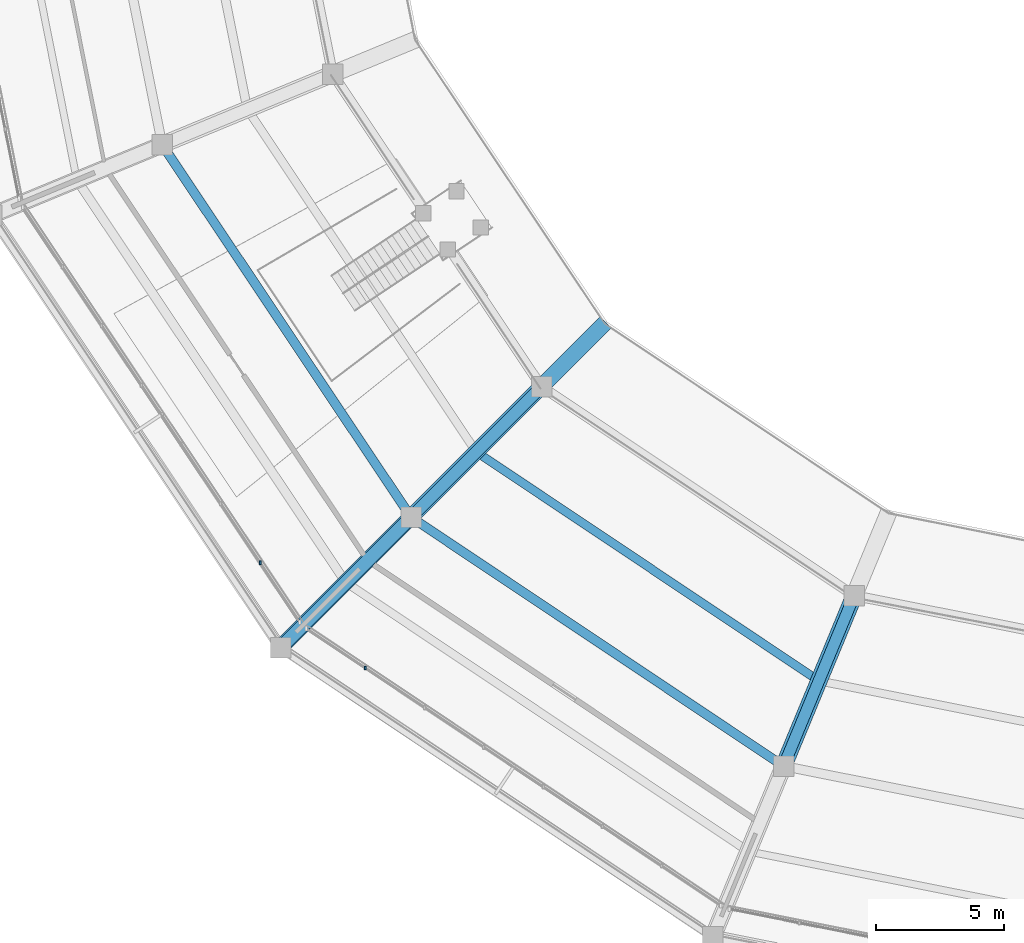
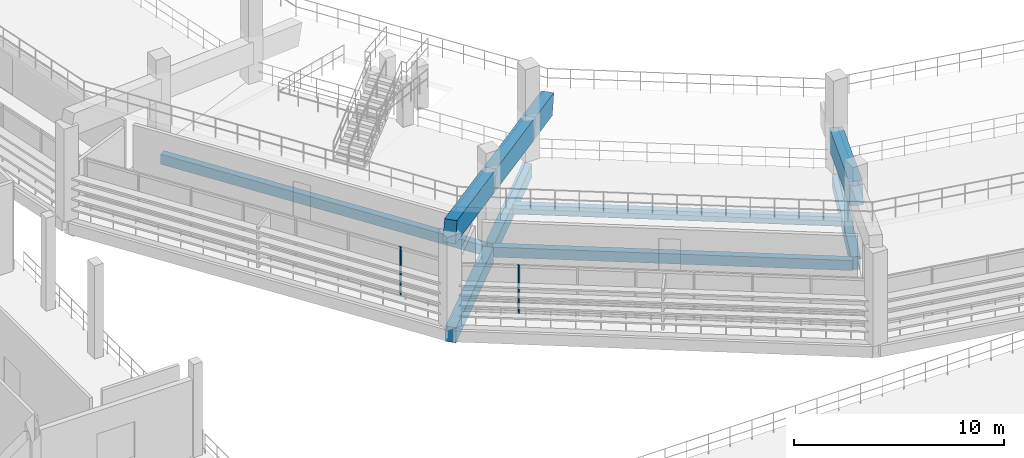
# One storey, part 11 of 96: 10 beams, 2 members, 2 elements without a shape of their own.
"""IFC4 building model written with IfcOpenShell, lengths in metres."""

from ifc_helpers import new_model, si_unit, direction, frame, origin, origin_2d, place, context, subcontext, project, spatial, rectangle, extrude, material, material_profile, profile_set, type_object, element, aggregate, save


model = new_model("IFC4")

# Units and contexts
model_context = context("Model", 3, precision=1e-05, world=origin(), true_north=direction((0.0, 1.0)))
body_context = subcontext(model_context, "Body", "Model", "MODEL_VIEW")
ifc_project = project(units=[si_unit("LENGTHUNIT", "METRE"), si_unit("AREAUNIT", "SQUARE_METRE"), si_unit("VOLUMEUNIT", "CUBIC_METRE"), si_unit("PLANEANGLEUNIT", "RADIAN"), si_unit("MASSUNIT", "GRAM", prefix="KILO")], contexts=[model_context])

# Site, building, storey
site_placement = place(None, origin())
site = spatial("IfcSite", under=ifc_project, at=site_placement, CompositionType="ELEMENT")
building_placement = place(site_placement, origin())
building = spatial("IfcBuilding", under=site, at=building_placement, Name="Candeia Ridge Stadium", CompositionType="ELEMENT")
storey_placement = place(building_placement, frame((0.0, 0.0, 21.60009765625)))
storey = spatial("IfcBuildingStorey", under=building, at=storey_placement, Name="L04", CompositionType="ELEMENT", Elevation=21.60009765625)

# Beam
ifc_material_1 = material(Name="Concrete C45/55", Category="concrete")
ifc_material_profile_1 = material_profile(ifc_material_1, rectangle(XDim=0.449951171875, YDim=0.75, at=origin_2d()), Name="RC450x750", Category="concrete")
ifc_profile_set_1 = profile_set([ifc_material_profile_1], Name="Concrete C45/55")
beam_type_1 = type_object("IfcBeamType", Name="Bowl Radial Girder RC450x750", PredefinedType="BEAM", material=ifc_profile_set_1)
beam_1_placement = place(storey_placement, frame((56.5498046875, 36.1142578125, -0.635009765625), z_axis=(-0.382681914982, -0.923880161031, 0.0), x_axis=(0.923880161031, -0.382681914982, 0.0)))
element("IfcBeam", 1, at=beam_1_placement, inside=storey, type_object=beam_type_1, Name="Bowl radial girder BM-L04-0755", PredefinedType="BEAM", context=body_context, shape_type="SweptSolid", body=[
    extrude(rectangle(XDim=0.449951171875, YDim=0.75, at=origin_2d()), origin(), (0.0, 0.0, 1.0), 6.8798828125),
])

# Curtain wall, member
ifc_material_2 = material(Name="Aluminium Anodized Warm Bronze", Category="aluminium")
curtain_wall_type = type_object("IfcCurtainWallType", Name="Concourse Recessed Unitised Curtain Wall", PredefinedType="NOTDEFINED", material=ifc_material_2)
curtain_wall_1_placement = place(storey_placement, origin())
curtain_wall_1 = element("IfcCurtainWall", 2, at=curtain_wall_1_placement, inside=storey, type_object=curtain_wall_type, Name="Unitised curtain wall CW-BWL-L04-15", PredefinedType="NOTDEFINED")
ifc_material_profile_2 = material_profile(ifc_material_2, rectangle(XDim=0.074951171875, YDim=0.14990234375, at=origin_2d()), Name="CWM-75x150", Category="aluminium")
ifc_profile_set_2 = profile_set([ifc_material_profile_2], Name="Aluminium Anodized Warm Bronze")
member_type = type_object("IfcMemberType", Name="Curtain Wall Secondary Mullion 75x150", PredefinedType="MULLION", material=ifc_profile_set_2)
member_1_placement = place(storey_placement, frame((33.434326171875, 37.540283203125, 0.0), z_axis=(0.0, 0.0, 1.0), x_axis=(1.0, 0.0, 0.0)))
member_1 = element("IfcMember", 3, at=member_1_placement, type_object=member_type, Name="Curtain wall mullion CW-BWL-L04-15-M6", PredefinedType="MULLION", context=body_context, shape_type="SweptSolid", body=[
    extrude(rectangle(XDim=0.074951171875, YDim=0.14990234375, at=origin_2d()), origin(), (0.0, 0.0, 1.0), 2.772216796875),
])
aggregate(curtain_wall_1, [member_1])

curtain_wall_2_placement = place(storey_placement, origin())
curtain_wall_2 = element("IfcCurtainWall", 4, at=curtain_wall_2_placement, inside=storey, type_object=curtain_wall_type, Name="Unitised curtain wall CW-BWL-L04-16", PredefinedType="NOTDEFINED")
member_2_placement = place(storey_placement, frame((37.540283203125, 33.434326171875, 0.0), z_axis=(0.0, 0.0, 1.0), x_axis=(1.0, 0.0, 0.0)))
member_2 = element("IfcMember", 5, at=member_2_placement, type_object=member_type, Name="Curtain wall mullion CW-BWL-L04-16-M1", PredefinedType="MULLION", context=body_context, shape_type="SweptSolid", body=[
    extrude(rectangle(XDim=0.074951171875, YDim=0.14990234375, at=origin_2d()), origin(), (0.0, 0.0, 1.0), 2.772216796875),
])
aggregate(curtain_wall_2, [member_2])

# Beams
ifc_material_3 = material(Name="Concrete C40/50", Category="concrete")
ifc_material_profile_3 = material_profile(ifc_material_3, rectangle(XDim=0.330078125, YDim=0.530029296875, at=origin_2d()), Name="RC330x530", Category="concrete")
ifc_profile_set_3 = profile_set([ifc_material_profile_3], Name="Concrete C40/50")
beam_type_2 = type_object("IfcBeamType", Name="Floor Joist RC330x530", PredefinedType="JOIST", material=ifc_profile_set_3)
beam_2_placement = place(storey_placement, frame((42.0517578125, 41.743896484375, -0.525146484375), z_axis=(0.831470752017, -0.555568527312, 0.0), x_axis=(0.555568527312, 0.831470752017, 0.0)))
element("IfcBeam", 6, at=beam_2_placement, inside=storey, type_object=beam_type_2, Name="Concourse secondary joist BM-L04-0871", PredefinedType="JOIST", context=body_context, shape_type="SweptSolid", body=[
    extrude(rectangle(XDim=0.330078125, YDim=0.530029296875, at=origin_2d()), origin(), (0.0, 0.0, 1.0), 15.63134765625),
])
ifc_material_profile_4 = material_profile(ifc_material_3, rectangle(XDim=0.360107421875, YDim=0.580078125, at=origin_2d()), Name="RC360x580", Category="concrete")
ifc_profile_set_4 = profile_set([ifc_material_profile_4], Name="Concrete C40/50")
beam_type_3 = type_object("IfcBeamType", Name="Frame Girder RC360x580", PredefinedType="BEAM", material=ifc_profile_set_4)
for number, where, z_axis, x_axis, name in (
    (7, (29.698974609375, 53.72265625, -0.550048828125), (0.555573223542, -0.831467614091, 0.0), (0.831467614091, 0.555573223542, 0.0), "Concourse spine girder BM-L04-0864"),
    (8, (39.45458984375, 39.232666015625, -0.550048828125), (0.831467614091, -0.555573223542, 0.0), (0.555573223542, 0.831467614091, 0.0), "Concourse spine girder BM-L04-0869"),
):
    element("IfcBeam", number, at=place(storey_placement, frame(where, z_axis=z_axis, x_axis=x_axis)), inside=storey, type_object=beam_type_3, Name=name, PredefinedType="BEAM", context=body_context, shape_type="SweptSolid", body=[
        extrude(rectangle(XDim=0.360107421875, YDim=0.580078125, at=origin_2d()), origin(), (0.0, 0.0, 1.0), 17.16015625),
    ])
ifc_material_profile_5 = material_profile(ifc_material_3, rectangle(XDim=0.4599609375, YDim=0.780029296875, at=origin_2d()), Name="RC460x780", Category="concrete")
ifc_profile_set_5 = profile_set([ifc_material_profile_5], Name="Concrete C40/50")
beam_type_4 = type_object("IfcBeamType", Name="Frame Girder RC460x780", PredefinedType="BEAM", material=ifc_profile_set_5)
beam_3_placement = place(storey_placement, frame((44.299560546875, 44.299560546875, -0.650146484375), z_axis=(-0.707106781187, -0.707106781187, 0.0), x_axis=(0.707106781187, -0.707106781187, 0.0)))
element("IfcBeam", 9, at=beam_3_placement, inside=storey, type_object=beam_type_4, Name="Bowl radial girder BM-L04-0753", PredefinedType="BEAM", context=body_context, shape_type="SweptSolid", body=[
    extrude(rectangle(XDim=0.4599609375, YDim=0.780029296875, at=origin_2d()), origin(), (0.0, 0.0, 1.0), 6.8798828125),
])
ifc_material_profile_6 = material_profile(ifc_material_1, rectangle(XDim=0.52001953125, YDim=0.8798828125, at=origin_2d()), Name="RC520x880", Category="concrete")
ifc_profile_set_6 = profile_set([ifc_material_profile_6], Name="Concrete C45/55")
beam_type_5 = type_object("IfcBeamType", Name="Frame Girder RC520x880", PredefinedType="BEAM", material=ifc_profile_set_6)
beam_4_placement = place(storey_placement, frame((39.20849609375, 39.20849609375, -0.7001953125), z_axis=(-0.707106781187, -0.707106781187, 0.0), x_axis=(0.707106781187, -0.707106781187, 0.0)))
element("IfcBeam", 10, at=beam_4_placement, inside=storey, type_object=beam_type_5, Name="Bowl radial girder BM-L04-0754", PredefinedType="BEAM", context=body_context, shape_type="SweptSolid", body=[
    extrude(rectangle(XDim=0.52001953125, YDim=0.8798828125, at=origin_2d()), origin(), (0.0, 0.0, 1.0), 6.880126953125),
])
ifc_material_profile_7 = material_profile(ifc_material_1, rectangle(XDim=0.6201171875, YDim=1.179931640625, at=origin_2d()), Name="RC620x1180", Category="concrete")
ifc_profile_set_7 = profile_set([ifc_material_profile_7], Name="Concrete C45/55")
beam_type_6 = type_object("IfcBeamType", Name="Stand Raker Beam RC620x1180", PredefinedType="USERDEFINED", material=ifc_profile_set_7)
beam_5_placement = place(storey_placement, frame((44.412841796875, 44.412841796875, 1.66796875), z_axis=(-0.684539585554, -0.684539585554, 0.250621450835), x_axis=(0.707106781187, -0.707106781187, 0.0)))
element("IfcBeam", 11, at=beam_5_placement, inside=storey, type_object=beam_type_6, Name="Stand T3 inner raker beam 17", ObjectType="RAKER", PredefinedType="USERDEFINED", context=body_context, shape_type="SweptSolid", body=[
    extrude(rectangle(XDim=0.6201171875, YDim=1.179931640625, at=origin_2d()), origin(), (0.0, 0.0, 1.0), 7.4375),
])
beam_6_placement = place(storey_placement, frame((39.321533203125, 39.321533203125, 3.531982421875), z_axis=(-0.684526258394, -0.684526258394, 0.250694242332), x_axis=(0.707106781187, -0.707106781187, 0.0)))
element("IfcBeam", 12, at=beam_6_placement, inside=storey, type_object=beam_type_6, Name="Stand T3 outer raker beam 17", ObjectType="RAKER", PredefinedType="USERDEFINED", context=body_context, shape_type="SweptSolid", body=[
    extrude(rectangle(XDim=0.6201171875, YDim=1.179931640625, at=origin_2d()), origin(), (0.0, 0.0, 1.0), 7.437255859375),
])
beam_7_placement = place(storey_placement, frame((46.81689453125, 46.81689453125, 0.78759765625), z_axis=(-0.684529473924, -0.684529473924, 0.250676681524), x_axis=(0.707106781187, -0.707106781187, 0.0)))
element("IfcBeam", 13, at=beam_7_placement, inside=storey, type_object=beam_type_6, Name="Stand T3 cantilever raker beam 17", ObjectType="RAKER", PredefinedType="USERDEFINED", context=body_context, shape_type="SweptSolid", body=[
    extrude(rectangle(XDim=0.6201171875, YDim=1.179931640625, at=origin_2d()), origin(), (0.0, 0.0, 1.0), 3.511962890625),
])
ifc_material_profile_8 = material_profile(ifc_material_1, rectangle(XDim=0.64990234375, YDim=1.25, at=origin_2d()), Name="RC650x1250", Category="concrete")
ifc_profile_set_8 = profile_set([ifc_material_profile_8], Name="Concrete C45/55")
beam_type_7 = type_object("IfcBeamType", Name="Stand Raker Beam RC650x1250", PredefinedType="USERDEFINED", material=ifc_profile_set_8)
beam_8_placement = place(storey_placement, frame((56.611083984375, 36.26220703125, 1.66796875), z_axis=(-0.370467920593, -0.894394775155, 0.250622237615), x_axis=(0.923880454805, -0.382681205745, 0.0)))
element("IfcBeam", 14, at=beam_8_placement, inside=storey, type_object=beam_type_7, Name="Stand T3 inner raker beam 18", ObjectType="RAKER", PredefinedType="USERDEFINED", context=body_context, shape_type="SweptSolid", body=[
    extrude(rectangle(XDim=0.64990234375, YDim=1.25, at=origin_2d()), origin(), (0.0, 0.0, 1.0), 7.4375),
])

save(model, "model.ifc")
